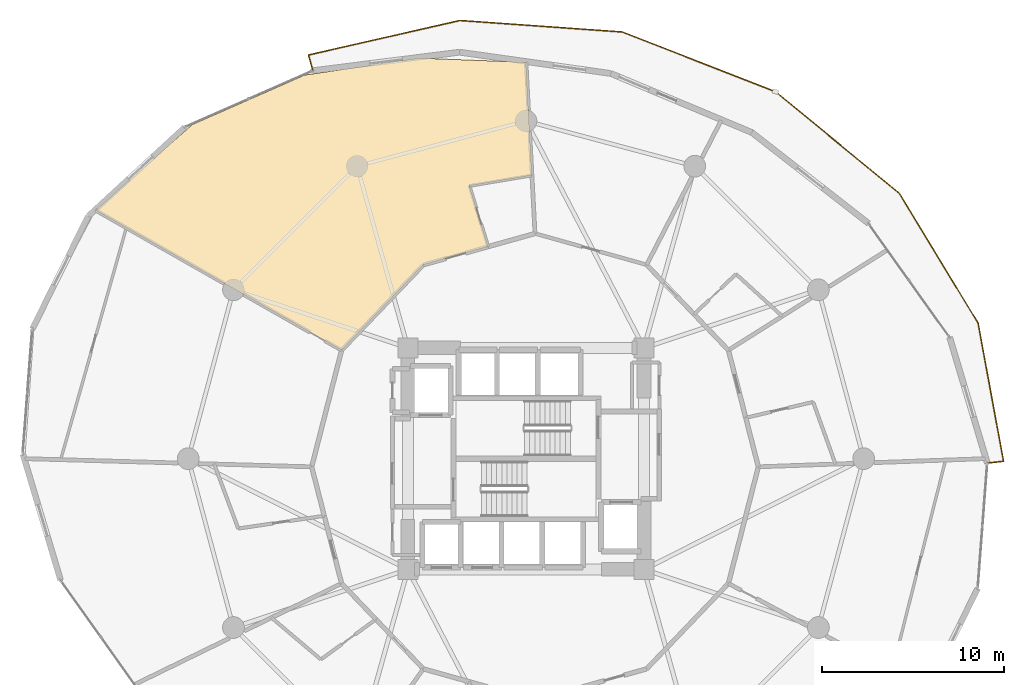
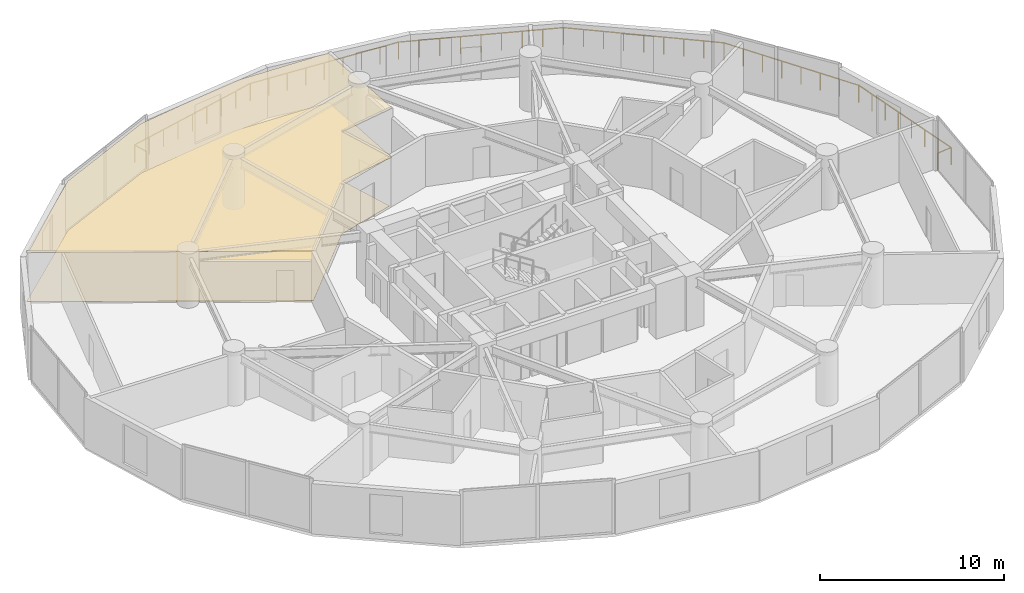
# One storey, part 25 of 25: 2 coverings, 1 railing.
"""IFC4 building model written with IfcOpenShell, lengths in metres."""

from ifc_helpers import new_model, si_unit, direction, frame, origin, origin_2d, place, context, subcontext, project, spatial, polyline, circle, outline, extrude, material, layer, layer_set, type_object, element, save


model = new_model("IFC4")

# Units and contexts
model_context = context("Model", 3, precision=1e-05, world=origin(), true_north=direction((0.0, 1.0)))
body_context = subcontext(model_context, "Body", "Model", "MODEL_VIEW")
ifc_project = project(units=[si_unit("LENGTHUNIT", "METRE"), si_unit("AREAUNIT", "SQUARE_METRE"), si_unit("VOLUMEUNIT", "CUBIC_METRE"), si_unit("PLANEANGLEUNIT", "RADIAN"), si_unit("MASSUNIT", "GRAM", prefix="KILO")], contexts=[model_context])

# Site, building, storey
site_placement = place(None, origin())
site = spatial("IfcSite", under=ifc_project, at=site_placement, CompositionType="ELEMENT")
building_placement = place(site_placement, origin())
building = spatial("IfcBuilding", under=site, at=building_placement, Name="Solvirekh Grand Hotel", CompositionType="ELEMENT")
storey_placement = place(building_placement, frame((0.0, 0.0, 60.800048828125)))
storey = spatial("IfcBuildingStorey", under=building, at=storey_placement, Name="L14", CompositionType="ELEMENT", Elevation=60.800048828125)

# Coverings
ifc_material_1 = material(Name="Acoustic Mineral Ceiling Tile")
ifc_layer_1 = layer(ifc_material_1, 0.02490234375)
ifc_layer_set_1 = layer_set([ifc_layer_1], Name="Acoustic Mineral Ceiling Tile")
covering_type_1 = type_object("IfcCoveringType", Name="Cov_Ceiling_Acoustic", PredefinedType="CEILING", material=ifc_layer_set_1)
covering_1_placement = place(storey_placement, frame((0.0, 0.0, 3.2900390625)))
element("IfcCovering", 1, at=covering_1_placement, inside=storey, type_object=covering_type_1, Name="L14 Diplomatic Suite 1601 Living Room acoustic ceiling", PredefinedType="CEILING", context=body_context, shape_type="SweptSolid", body=[
    extrude(outline(polyline([(-3.115966796875, 15.028076171875), (0.330078125, 15.60693359375), (0.0, 21.83203125), (-5.910888671875, 22.06103515625), (-12.195068359375, 21.1220703125), (-18.389892578125, 18.389892578125), (-23.699951171875, 13.68310546875), (-10.152099609375, 5.97509765625), (-5.64990234375, 10.677978515625), (-2.0830078125, 11.677001953125), (-3.115966796875, 15.028076171875)])), origin(), (0.0, 0.0, 1.0), 0.017822265625),
])
ifc_material_2 = material(Name="Porcelain Stoneware Flooring", Category="masonry")
ifc_layer_2 = layer(ifc_material_2, 0.030029296875)
ifc_layer_set_2 = layer_set([ifc_layer_2], Name="Porcelain Stoneware Flooring")
covering_type_2 = type_object("IfcCoveringType", Name="Cov_Floor_Stone", PredefinedType="FLOORING", material=ifc_layer_set_2)
covering_2_placement = place(storey_placement, origin())
element("IfcCovering", 2, at=covering_2_placement, inside=storey, type_object=covering_type_2, Name="L14 Diplomatic Suite 1601 Living Room polished granite flooring", PredefinedType="FLOORING", context=body_context, shape_type="SweptSolid", body=[
    extrude(outline(polyline([(-3.115966796875, 15.028076171875), (0.330078125, 15.60693359375), (0.0, 21.83203125), (-5.910888671875, 22.06103515625), (-12.195068359375, 21.1220703125), (-18.389892578125, 18.389892578125), (-23.699951171875, 13.68310546875), (-10.152099609375, 5.97509765625), (-5.64990234375, 10.677978515625), (-2.0830078125, 11.677001953125), (-3.115966796875, 15.028076171875)])), origin(), (0.0, 0.0, 1.0), 0.02001953125),
])

# Railing
ifc_material_3 = material(Name="Anodized Bronze Aluminium 6063-T6", Category="aluminium")
railing_type = type_object("IfcRailingType", Name="Guard_ExtGlass_1150", PredefinedType="BALUSTRADE", material=ifc_material_3)
railing_placement = place(storey_placement, frame((25.412109375, -0.24609375, 0.0)))
element("IfcRailing", 3, at=railing_placement, inside=storey, type_object=railing_type, Name="L14 balc perimeter glass balustrade", PredefinedType="BALUSTRADE", context=body_context, shape_type="SweptSolid", body=[
    extrude(circle(Radius=0.02392578125, at=origin_2d()), frame((0.0, 0.0, 1.1259765625), z_axis=(0.993800785495, 0.111175531256, 0.0), x_axis=(-0.111175531256, 0.993800785495, 0.0)), (0.0, 0.0, 1.0), 0.900390625),
    extrude(circle(Radius=0.02392578125, at=origin_2d()), frame((0.894775390625, 0.10009765625, 1.1259765625), z_axis=(-0.181012979848, 0.983480707043, 0.0), x_axis=(-0.983480707043, -0.181012979848, 0.0)), (0.0, 0.0, 1.0), 7.733642578125),
    extrude(circle(Radius=0.02392578125, at=origin_2d()), frame((-0.505126953125, 7.7060546875, 1.1259765625), z_axis=(-0.518433776599, 0.855117780941, 0.0), x_axis=(-0.855117780941, -0.518433776599, 0.0)), (0.0, 0.0, 1.0), 8.35791015625),
    extrude(circle(Radius=0.02392578125, at=origin_2d()), frame((-4.838134765625, 14.85302734375, 1.1259765625), z_axis=(-0.772918386312, 0.634505451593, 0.0), x_axis=(-0.634505451593, -0.772918386312, 0.0)), (0.0, 0.0, 1.0), 8.835205078125),
    extrude(circle(Radius=0.02392578125, at=origin_2d()), frame((-11.6669921875, 20.458984375, 1.1259765625), z_axis=(-0.931737836805, 0.363131661337, 0.0), x_axis=(-0.363131661337, -0.931737836805, 0.0)), (0.0, 0.0, 1.0), 9.057373046875),
    extrude(circle(Radius=0.02392578125, at=origin_2d()), frame((-20.106201171875, 23.748046875, 1.1259765625), z_axis=(-0.997496159997, 0.070720653222, 0.0), x_axis=(-0.070720653222, -0.997496159997, 0.0)), (0.0, 0.0, 1.0), 8.96533203125),
    extrude(circle(Radius=0.02392578125, at=origin_2d()), frame((-29.049072265625, 24.382080078125, 1.1259765625), z_axis=(-0.97499049405, -0.222246566931, 0.0), x_axis=(0.222246566931, -0.97499049405, 0.0)), (0.0, 0.0, 1.0), 8.552978515625),
    extrude(circle(Radius=0.02392578125, at=origin_2d()), frame((-37.38818359375, 22.481201171875, 1.1259765625), z_axis=(0.263140336429, -0.964757567135, 0.0), x_axis=(0.964757567135, 0.263140336429, 0.0)), (0.0, 0.0, 1.0), 0.90087890625),
    extrude(circle(Radius=0.02099609375, at=origin_2d()), origin(), (0.0, 0.0, 1.0), 1.101806640625),
    extrude(circle(Radius=0.02099609375, at=origin_2d()), frame((0.894775390625, 0.10009765625, 0.0)), (0.0, 0.0, 1.0), 1.101806640625),
    extrude(circle(Radius=0.02099609375, at=origin_2d()), frame((0.69482421875, 1.186767578125, 0.0)), (0.0, 0.0, 1.0), 1.101806640625),
    extrude(circle(Radius=0.02099609375, at=origin_2d()), frame((0.494873046875, 2.273193359375, 0.0)), (0.0, 0.0, 1.0), 1.101806640625),
    extrude(circle(Radius=0.02099609375, at=origin_2d()), frame((0.294921875, 3.35986328125, 0.0)), (0.0, 0.0, 1.0), 1.101806640625),
    extrude(circle(Radius=0.02099609375, at=origin_2d()), frame((0.0947265625, 4.4462890625, 0.0)), (0.0, 0.0, 1.0), 1.101806640625),
    extrude(circle(Radius=0.02099609375, at=origin_2d()), frame((-0.105224609375, 5.532958984375, 0.0)), (0.0, 0.0, 1.0), 1.101806640625),
    extrude(circle(Radius=0.02099609375, at=origin_2d()), frame((-0.30517578125, 6.619384765625, 0.0)), (0.0, 0.0, 1.0), 1.101806640625),
    extrude(circle(Radius=0.02099609375, at=origin_2d()), frame((-0.505126953125, 7.7060546875, 0.0)), (0.0, 0.0, 1.0), 1.101806640625),
    extrude(circle(Radius=0.02099609375, at=origin_2d()), frame((-1.1240234375, 8.72705078125, 0.0)), (0.0, 0.0, 1.0), 1.101806640625),
    extrude(circle(Radius=0.02099609375, at=origin_2d()), frame((-1.7431640625, 9.748046875, 0.0)), (0.0, 0.0, 1.0), 1.101806640625),
    extrude(circle(Radius=0.02099609375, at=origin_2d()), frame((-2.362060546875, 10.76904296875, 0.0)), (0.0, 0.0, 1.0), 1.101806640625),
    extrude(circle(Radius=0.02099609375, at=origin_2d()), frame((-2.981201171875, 11.7900390625, 0.0)), (0.0, 0.0, 1.0), 1.101806640625),
    extrude(circle(Radius=0.02099609375, at=origin_2d()), frame((-3.60009765625, 12.81103515625, 0.0)), (0.0, 0.0, 1.0), 1.101806640625),
    extrude(circle(Radius=0.02099609375, at=origin_2d()), frame((-4.21923828125, 13.83203125, 0.0)), (0.0, 0.0, 1.0), 1.101806640625),
    extrude(circle(Radius=0.02099609375, at=origin_2d()), frame((-4.838134765625, 14.85302734375, 0.0)), (0.0, 0.0, 1.0), 1.101806640625),
    extrude(circle(Radius=0.02099609375, at=origin_2d()), frame((-5.691650390625, 15.5537109375, 0.0)), (0.0, 0.0, 1.0), 1.101806640625),
    extrude(circle(Radius=0.02099609375, at=origin_2d()), frame((-6.54541015625, 16.25439453125, 0.0)), (0.0, 0.0, 1.0), 1.101806640625),
    extrude(circle(Radius=0.02099609375, at=origin_2d()), frame((-7.39892578125, 16.955322265625, 0.0)), (0.0, 0.0, 1.0), 1.101806640625),
    extrude(circle(Radius=0.02099609375, at=origin_2d()), frame((-8.25244140625, 17.656005859375, 0.0)), (0.0, 0.0, 1.0), 1.101806640625),
    extrude(circle(Radius=0.02099609375, at=origin_2d()), frame((-9.106201171875, 18.356689453125, 0.0)), (0.0, 0.0, 1.0), 1.101806640625),
    extrude(circle(Radius=0.02099609375, at=origin_2d()), frame((-9.959716796875, 19.0576171875, 0.0)), (0.0, 0.0, 1.0), 1.101806640625),
    extrude(circle(Radius=0.02099609375, at=origin_2d()), frame((-10.8134765625, 19.75830078125, 0.0)), (0.0, 0.0, 1.0), 1.101806640625),
    extrude(circle(Radius=0.02099609375, at=origin_2d()), frame((-11.6669921875, 20.458984375, 0.0)), (0.0, 0.0, 1.0), 1.101806640625),
    extrude(circle(Radius=0.02099609375, at=origin_2d()), frame((-12.721923828125, 20.8701171875, 0.0)), (0.0, 0.0, 1.0), 1.101806640625),
    extrude(circle(Radius=0.02099609375, at=origin_2d()), frame((-13.77685546875, 21.28125, 0.0)), (0.0, 0.0, 1.0), 1.101806640625),
    extrude(circle(Radius=0.02099609375, at=origin_2d()), frame((-14.831787109375, 21.6923828125, 0.0)), (0.0, 0.0, 1.0), 1.101806640625),
    extrude(circle(Radius=0.02099609375, at=origin_2d()), frame((-15.88671875, 22.103515625, 0.0)), (0.0, 0.0, 1.0), 1.101806640625),
    extrude(circle(Radius=0.02099609375, at=origin_2d()), frame((-16.94140625, 22.5146484375, 0.0)), (0.0, 0.0, 1.0), 1.101806640625),
    extrude(circle(Radius=0.02099609375, at=origin_2d()), frame((-17.996337890625, 22.92578125, 0.0)), (0.0, 0.0, 1.0), 1.101806640625),
    extrude(circle(Radius=0.02099609375, at=origin_2d()), frame((-19.05126953125, 23.3369140625, 0.0)), (0.0, 0.0, 1.0), 1.101806640625),
    extrude(circle(Radius=0.02099609375, at=origin_2d()), frame((-20.106201171875, 23.748046875, 0.0)), (0.0, 0.0, 1.0), 1.101806640625),
    extrude(circle(Radius=0.02099609375, at=origin_2d()), frame((-21.22412109375, 23.827392578125, 0.0)), (0.0, 0.0, 1.0), 1.101806640625),
    extrude(circle(Radius=0.02099609375, at=origin_2d()), frame((-22.341796875, 23.906494140625, 0.0)), (0.0, 0.0, 1.0), 1.101806640625),
    extrude(circle(Radius=0.02099609375, at=origin_2d()), frame((-23.459716796875, 23.98583984375, 0.0)), (0.0, 0.0, 1.0), 1.101806640625),
    extrude(circle(Radius=0.02099609375, at=origin_2d()), frame((-24.57763671875, 24.06494140625, 0.0)), (0.0, 0.0, 1.0), 1.101806640625),
    extrude(circle(Radius=0.02099609375, at=origin_2d()), frame((-25.695556640625, 24.144287109375, 0.0)), (0.0, 0.0, 1.0), 1.101806640625),
    extrude(circle(Radius=0.02099609375, at=origin_2d()), frame((-26.8134765625, 24.2236328125, 0.0)), (0.0, 0.0, 1.0), 1.101806640625),
    extrude(circle(Radius=0.02099609375, at=origin_2d()), frame((-27.93115234375, 24.302734375, 0.0)), (0.0, 0.0, 1.0), 1.101806640625),
    extrude(circle(Radius=0.02099609375, at=origin_2d()), frame((-29.049072265625, 24.382080078125, 0.0)), (0.0, 0.0, 1.0), 1.101806640625),
    extrude(circle(Radius=0.02099609375, at=origin_2d()), frame((-30.091552734375, 24.14453125, 0.0)), (0.0, 0.0, 1.0), 1.101806640625),
    extrude(circle(Radius=0.02099609375, at=origin_2d()), frame((-31.1337890625, 23.90673828125, 0.0)), (0.0, 0.0, 1.0), 1.101806640625),
    extrude(circle(Radius=0.02099609375, at=origin_2d()), frame((-32.17626953125, 23.669189453125, 0.0)), (0.0, 0.0, 1.0), 1.101806640625),
    extrude(circle(Radius=0.02099609375, at=origin_2d()), frame((-33.21875, 23.431640625, 0.0)), (0.0, 0.0, 1.0), 1.101806640625),
    extrude(circle(Radius=0.02099609375, at=origin_2d()), frame((-34.260986328125, 23.194091796875, 0.0)), (0.0, 0.0, 1.0), 1.101806640625),
    extrude(circle(Radius=0.02099609375, at=origin_2d()), frame((-35.303466796875, 22.95654296875, 0.0)), (0.0, 0.0, 1.0), 1.101806640625),
    extrude(circle(Radius=0.02099609375, at=origin_2d()), frame((-36.345703125, 22.71875, 0.0)), (0.0, 0.0, 1.0), 1.101806640625),
    extrude(circle(Radius=0.02099609375, at=origin_2d()), frame((-37.38818359375, 22.481201171875, 0.0)), (0.0, 0.0, 1.0), 1.101806640625),
    extrude(circle(Radius=0.02099609375, at=origin_2d()), frame((-37.151123046875, 21.612060546875, 0.0)), (0.0, 0.0, 1.0), 1.101806640625),
])

save(model, "model.ifc")
